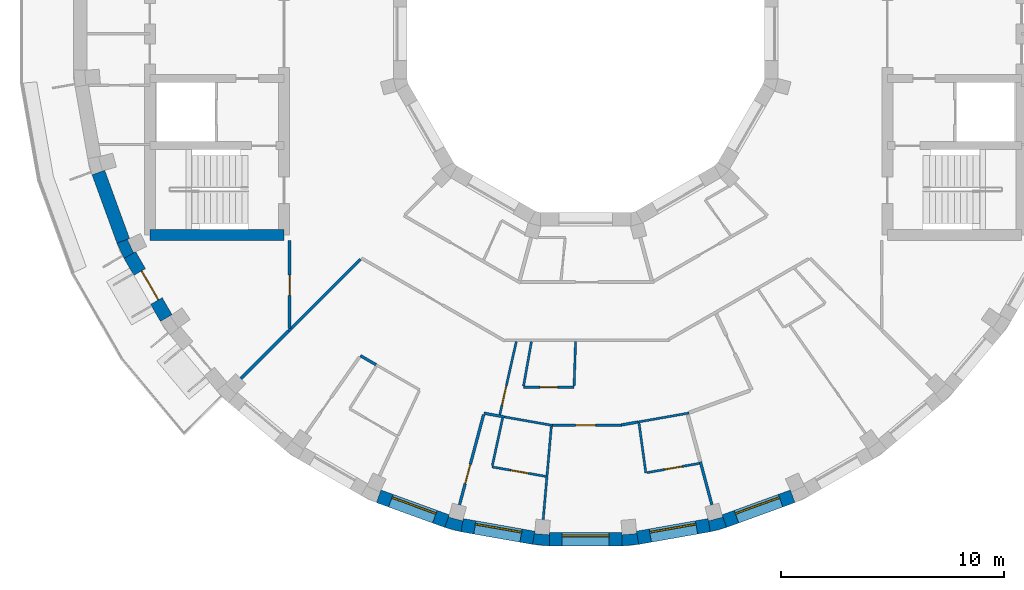
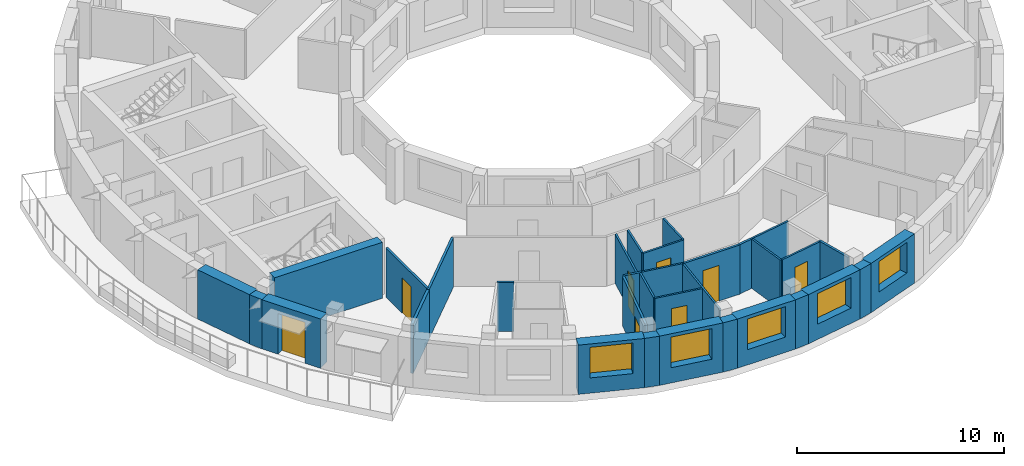
# One storey, part 2 of 10: 33 walls, 8 doors, 5 windows, 13 openings.
"""IFC4 building model written with IfcOpenShell, lengths in metres."""

from ifc_helpers import new_model, si_unit, direction, frame, frame_2d, origin, place, context, subcontext, project, spatial, polyline, rectangle, outline, extrude, material, layer, layer_set, type_object, element, fill, save


model = new_model("IFC4")

# Units and contexts
model_context = context("Model", 3, precision=1e-05, world=origin(), true_north=direction((0.0, 1.0)))
body_context = subcontext(model_context, "Body", "Model", "MODEL_VIEW")
ifc_project = project(units=[si_unit("LENGTHUNIT", "METRE"), si_unit("AREAUNIT", "SQUARE_METRE"), si_unit("VOLUMEUNIT", "CUBIC_METRE"), si_unit("PLANEANGLEUNIT", "RADIAN"), si_unit("MASSUNIT", "GRAM", prefix="KILO")], contexts=[model_context])

# Site, building, storey
site_placement = place(None, origin())
site = spatial("IfcSite", under=ifc_project, at=site_placement, CompositionType="ELEMENT")
building_placement = place(site_placement, origin())
building = spatial("IfcBuilding", under=site, at=building_placement, Name="Saqina Gate Tower", CompositionType="ELEMENT")
storey_placement = place(building_placement, frame((0.0, 0.0, 249.5)))
storey = spatial("IfcBuildingStorey", under=building, at=storey_placement, Name="L71", CompositionType="ELEMENT", Elevation=249.5)

# Walls
ifc_material_1 = material(Name="Brick masonry (buff)", Category="masonry")
wall_type_1 = type_object("IfcWallType", Name="BRICK PIER COPING BUFF", PredefinedType="SOLIDWALL", material=ifc_material_1)
wall_1_placement = place(storey_placement, origin())
element("IfcWall", 1, at=wall_1_placement, inside=storey, type_object=wall_type_1, Name="Pier cap L71 column 21", PredefinedType="SOLIDWALL", context=body_context, shape_type="SweptSolid", body=[
    extrude(outline(polyline([(-20.974609375, -9.3642578125), (-20.65576171875, -10.048095703125), (-20.135986328125, -9.748291015625), (-20.23193359375, -9.79296875), (-20.506591796875, -9.203857421875), (-20.410888671875, -9.1591796875), (-20.974609375, -9.3642578125)])), origin(), (0.0, 0.0, 1.0), 2.89990234375),
])
wall_2_placement = place(storey_placement, origin())
element("IfcWall", 2, at=wall_2_placement, inside=storey, type_object=wall_type_1, Name="Pier cap L71 column 26", PredefinedType="SOLIDWALL", context=body_context, shape_type="SweptSolid", body=[
    extrude(outline(polyline([(-5.579833984375, -22.281982421875), (-5.4755859375, -21.691162109375), (-5.5029296875, -21.793212890625), (-6.130859375, -21.625), (-6.103515625, -21.52294921875), (-6.30859375, -22.0869140625), (-5.579833984375, -22.281982421875)])), origin(), (0.0, 0.0, 1.0), 2.89990234375),
])
wall_3_placement = place(storey_placement, origin())
element("IfcWall", 3, at=wall_3_placement, inside=storey, type_object=wall_type_1, Name="Pier cap L71 column 27", PredefinedType="SOLIDWALL", context=body_context, shape_type="SweptSolid", body=[
    extrude(outline(polyline([(-2.377685546875, -22.8466796875), (-1.625732421875, -22.91259765625), (-1.625732421875, -22.3125), (-1.635009765625, -22.417724609375), (-2.28271484375, -22.361083984375), (-2.2734375, -22.255859375), (-2.377685546875, -22.8466796875)])), origin(), (0.0, 0.0, 1.0), 2.89990234375),
])
wall_4_placement = place(storey_placement, origin())
element("IfcWall", 4, at=wall_4_placement, inside=storey, type_object=wall_type_1, Name="Pier cap L71 column 28", PredefinedType="SOLIDWALL", context=body_context, shape_type="SweptSolid", body=[
    extrude(outline(polyline([(1.625732421875, -22.91259765625), (2.377685546875, -22.8466796875), (2.2734375, -22.255859375), (2.28271484375, -22.361083984375), (1.635009765625, -22.417724609375), (1.625732421875, -22.3125), (1.625732421875, -22.91259765625)])), origin(), (0.0, 0.0, 1.0), 2.89990234375),
])
wall_5_placement = place(storey_placement, origin())
element("IfcWall", 5, at=wall_5_placement, inside=storey, type_object=wall_type_1, Name="Pier cap L71 column 29", PredefinedType="SOLIDWALL", context=body_context, shape_type="SweptSolid", body=[
    extrude(outline(polyline([(6.30859375, -22.0869140625), (6.103515625, -21.52294921875), (6.130859375, -21.625), (5.5029296875, -21.793212890625), (5.4755859375, -21.691162109375), (5.579833984375, -22.281982421875), (6.30859375, -22.0869140625)])), origin(), (0.0, 0.0, 1.0), 2.89990234375),
])

# Wall, opening, door
ifc_material_2 = material(Name="Brick masonry (buff)", Category="masonry")
ifc_layer_1 = layer(ifc_material_2, 0.60009765625)
ifc_layer_set_1 = layer_set([ifc_layer_1], Name="FW-BRICK-BUFF")
wall_type_2 = type_object("IfcWallType", Name="FW-BRICK-BUFF", PredefinedType="SOLIDWALL", material=ifc_layer_set_1)
wall_6_placement = place(storey_placement, frame((-20.39599609375, -9.898193359375, 0.0), z_axis=(0.0, 0.0, 1.0), x_axis=(0.500014901547, -0.866016800201, 0.0)))
wall_6 = element("IfcWall", 6, at=wall_6_placement, inside=storey, type_object=wall_type_2, Name="Facade wall L71 facet 21", PredefinedType="SOLIDWALL", context=body_context, shape_type="SweptSolid", body=[
    extrude(rectangle(XDim=3.251953125, YDim=0.60009765625, at=frame_2d((1.6259765625, 0.0))), origin(), (0.0, 0.0, 1.0), 2.89990234375),
])
opening_1_placement = place(wall_6_placement, frame((0.875732421875, 0.0, 0.0)))
opening_1 = element("IfcOpeningElement", 7, at=opening_1_placement, cuts=wall_6, Name="Opening G21-D80", PredefinedType="OPENING", context=body_context, shape_type="SweptSolid", body=[
    extrude(rectangle(XDim=1.5, YDim=2.39990234375, at=frame_2d((0.75, 1.199951171875))), frame((0.0, 0.31201171875, 0.0), z_axis=(0.0, -1.0, 0.0), x_axis=(1.0, 0.0, 0.0)), (0.0, 0.0, 1.0), 0.6240234375),
])
ifc_material_3 = material(Name="Aluminium glazing", Category="aluminium")
door_type_1 = type_object("IfcDoorType", Name="GD-D", OperationType="DOUBLE_DOOR_SINGLE_SWING", PredefinedType="DOOR", material=ifc_material_3)
door_1_placement = place(opening_1_placement, frame((1.5, 0.0, 0.0), z_axis=(0.0, 0.0, 1.0), x_axis=(-1.0, 0.0, 0.0)))
door_1 = element("IfcDoor", 8, at=door_1_placement, inside=storey, type_object=door_type_1, Name="Terrace door L71 facet 21", OperationType="DOUBLE_DOOR_SINGLE_SWING", OverallHeight=2.39990234375, OverallWidth=1.5, PredefinedType="DOOR", context=body_context, shape_type="SweptSolid", body=[
    extrude(rectangle(XDim=1.5, YDim=2.39990234375, at=frame_2d((0.75, 1.199951171875))), frame((0.0, -0.0751953125, 0.0), z_axis=(0.0, -1.0, 0.0), x_axis=(1.0, 0.0, 0.0)), (0.0, 0.0, 1.0), 0.050048828125),
])
fill(opening_1, door_1)

# Wall, opening, window
wall_7_placement = place(storey_placement, frame((-9.26171875, -20.692626953125, 0.0), z_axis=(0.0, 0.0, 1.0), x_axis=(0.939679383794, -0.342056509473, 0.0)))
wall_7 = element("IfcWall", 9, at=wall_7_placement, inside=storey, type_object=wall_type_2, Name="Facade wall L71 facet 25", PredefinedType="SOLIDWALL", context=body_context, shape_type="SweptSolid", body=[
    extrude(rectangle(XDim=3.251708984375, YDim=0.60009765625, at=frame_2d((1.6259765625, 0.0))), origin(), (0.0, 0.0, 1.0), 2.89990234375),
])
opening_2_placement = place(wall_7_placement, frame((0.57568359375, 0.0, 0.89990234375)))
opening_2 = element("IfcOpeningElement", 10, at=opening_2_placement, cuts=wall_7, Name="Opening G21-W16", PredefinedType="OPENING", context=body_context, shape_type="SweptSolid", body=[
    extrude(rectangle(XDim=2.10009765625, YDim=1.800048828125, at=frame_2d((1.050048828125, 0.89990234375))), frame((0.0, 0.31201171875, 0.0), z_axis=(0.0, -1.0, 0.0), x_axis=(1.0, 0.0, 0.0)), (0.0, 0.0, 1.0), 0.6240234375),
])
ifc_material_4 = material(Name="Aluminium glazing", Category="aluminium")
window_type = type_object("IfcWindowType", Name="WN-D", PartitioningType="SINGLE_PANEL", PredefinedType="WINDOW", material=ifc_material_4)
window_1_placement = place(opening_2_placement, origin())
window_1 = element("IfcWindow", 11, at=window_1_placement, inside=storey, type_object=window_type, Name="Window L71 facet 25", OverallHeight=1.800048828125, OverallWidth=2.10009765625, PartitioningType="SINGLE_PANEL", PredefinedType="WINDOW", context=body_context, shape_type="SweptSolid", body=[
    extrude(rectangle(XDim=2.10009765625, YDim=1.800048828125, at=frame_2d((1.050048828125, 0.89990234375))), frame((0.0, 0.179931640625, 0.0), z_axis=(0.0, -1.0, 0.0), x_axis=(1.0, 0.0, 0.0)), (0.0, 0.0, 1.0), 0.06005859375),
])
fill(opening_2, window_1)

wall_8_placement = place(storey_placement, frame((-5.52783203125, -21.986572265625, 0.0), z_axis=(0.0, 0.0, 1.0), x_axis=(0.984806225186, -0.173656842178, 0.0)))
wall_8 = element("IfcWall", 12, at=wall_8_placement, inside=storey, type_object=wall_type_2, Name="Facade wall L71 facet 26", PredefinedType="SOLIDWALL", context=body_context, shape_type="SweptSolid", body=[
    extrude(rectangle(XDim=3.251708984375, YDim=0.60009765625, at=frame_2d((1.6259765625, 0.0))), origin(), (0.0, 0.0, 1.0), 2.89990234375),
])
opening_3_placement = place(wall_8_placement, frame((0.57568359375, 0.0, 0.89990234375)))
opening_3 = element("IfcOpeningElement", 13, at=opening_3_placement, cuts=wall_8, Name="Opening G21-W17", PredefinedType="OPENING", context=body_context, shape_type="SweptSolid", body=[
    extrude(rectangle(XDim=2.10009765625, YDim=1.800048828125, at=frame_2d((1.050048828125, 0.89990234375))), frame((0.0, 0.31201171875, 0.0), z_axis=(0.0, -1.0, 0.0), x_axis=(1.0, 0.0, 0.0)), (0.0, 0.0, 1.0), 0.6240234375),
])
window_2_placement = place(opening_3_placement, origin())
window_2 = element("IfcWindow", 14, at=window_2_placement, inside=storey, type_object=window_type, Name="Window L71 facet 26", OverallHeight=1.800048828125, OverallWidth=2.10009765625, PartitioningType="SINGLE_PANEL", PredefinedType="WINDOW", context=body_context, shape_type="SweptSolid", body=[
    extrude(rectangle(XDim=2.10009765625, YDim=1.800048828125, at=frame_2d((1.050048828125, 0.89990234375))), frame((0.0, 0.179931640625, 0.0), z_axis=(0.0, -1.0, 0.0), x_axis=(1.0, 0.0, 0.0)), (0.0, 0.0, 1.0), 0.06005859375),
])
fill(opening_3, window_2)

wall_9_placement = place(storey_placement, frame((-1.625732421875, -22.612548828125, 0.0), z_axis=(0.0, 0.0, 1.0), x_axis=(1.0, 0.0, 0.0)))
wall_9 = element("IfcWall", 15, at=wall_9_placement, inside=storey, type_object=wall_type_2, Name="Facade wall L71 facet 27", PredefinedType="SOLIDWALL", context=body_context, shape_type="SweptSolid", body=[
    extrude(rectangle(XDim=3.25146484375, YDim=0.60009765625, at=frame_2d((1.625732421875, 0.0))), origin(), (0.0, 0.0, 1.0), 2.89990234375),
])
opening_4_placement = place(wall_9_placement, frame((0.57568359375, 0.0, 0.89990234375)))
opening_4 = element("IfcOpeningElement", 16, at=opening_4_placement, cuts=wall_9, Name="Opening G21-W18", PredefinedType="OPENING", context=body_context, shape_type="SweptSolid", body=[
    extrude(rectangle(XDim=2.10009765625, YDim=1.800048828125, at=frame_2d((1.050048828125, 0.89990234375))), frame((0.0, 0.31201171875, 0.0), z_axis=(0.0, -1.0, 0.0), x_axis=(1.0, 0.0, 0.0)), (0.0, 0.0, 1.0), 0.6240234375),
])
window_3_placement = place(opening_4_placement, origin())
window_3 = element("IfcWindow", 17, at=window_3_placement, inside=storey, type_object=window_type, Name="Window L71 facet 27", OverallHeight=1.800048828125, OverallWidth=2.10009765625, PartitioningType="SINGLE_PANEL", PredefinedType="WINDOW", context=body_context, shape_type="SweptSolid", body=[
    extrude(rectangle(XDim=2.10009765625, YDim=1.800048828125, at=frame_2d((1.050048828125, 0.89990234375))), frame((0.0, 0.179931640625, 0.0), z_axis=(0.0, -1.0, 0.0), x_axis=(1.0, 0.0, 0.0)), (0.0, 0.0, 1.0), 0.06005859375),
])
fill(opening_4, window_3)

wall_10_placement = place(storey_placement, frame((2.325439453125, -22.55126953125, 0.0), z_axis=(0.0, 0.0, 1.0), x_axis=(0.984806225186, 0.173656842178, 0.0)))
wall_10 = element("IfcWall", 18, at=wall_10_placement, inside=storey, type_object=wall_type_2, Name="Facade wall L71 facet 28", PredefinedType="SOLIDWALL", context=body_context, shape_type="SweptSolid", body=[
    extrude(rectangle(XDim=3.251708984375, YDim=0.60009765625, at=frame_2d((1.6259765625, 0.0))), origin(), (0.0, 0.0, 1.0), 2.89990234375),
])
opening_5_placement = place(wall_10_placement, frame((0.57568359375, 0.0, 0.89990234375)))
opening_5 = element("IfcOpeningElement", 19, at=opening_5_placement, cuts=wall_10, Name="Opening G21-W19", PredefinedType="OPENING", context=body_context, shape_type="SweptSolid", body=[
    extrude(rectangle(XDim=2.10009765625, YDim=1.800048828125, at=frame_2d((1.050048828125, 0.89990234375))), frame((0.0, 0.31201171875, 0.0), z_axis=(0.0, -1.0, 0.0), x_axis=(1.0, 0.0, 0.0)), (0.0, 0.0, 1.0), 0.6240234375),
])
window_4_placement = place(opening_5_placement, origin())
window_4 = element("IfcWindow", 20, at=window_4_placement, inside=storey, type_object=window_type, Name="Window L71 facet 28", OverallHeight=1.800048828125, OverallWidth=2.10009765625, PartitioningType="SINGLE_PANEL", PredefinedType="WINDOW", context=body_context, shape_type="SweptSolid", body=[
    extrude(rectangle(XDim=2.10009765625, YDim=1.800048828125, at=frame_2d((1.050048828125, 0.89990234375))), frame((0.0, 0.179931640625, 0.0), z_axis=(0.0, -1.0, 0.0), x_axis=(1.0, 0.0, 0.0)), (0.0, 0.0, 1.0), 0.06005859375),
])
fill(opening_5, window_4)

wall_11_placement = place(storey_placement, frame((6.2060546875, -21.804931640625, 0.0), z_axis=(0.0, 0.0, 1.0), x_axis=(0.939679383794, 0.342056509473, 0.0)))
wall_11 = element("IfcWall", 21, at=wall_11_placement, inside=storey, type_object=wall_type_2, Name="Facade wall L71 facet 29", PredefinedType="SOLIDWALL", context=body_context, shape_type="SweptSolid", body=[
    extrude(rectangle(XDim=3.251708984375, YDim=0.60009765625, at=frame_2d((1.6259765625, 0.0))), origin(), (0.0, 0.0, 1.0), 2.89990234375),
])
opening_6_placement = place(wall_11_placement, frame((0.57568359375, 0.0, 0.89990234375)))
opening_6 = element("IfcOpeningElement", 22, at=opening_6_placement, cuts=wall_11, Name="Opening G21-W20", PredefinedType="OPENING", context=body_context, shape_type="SweptSolid", body=[
    extrude(rectangle(XDim=2.10009765625, YDim=1.800048828125, at=frame_2d((1.050048828125, 0.89990234375))), frame((0.0, 0.31201171875, 0.0), z_axis=(0.0, -1.0, 0.0), x_axis=(1.0, 0.0, 0.0)), (0.0, 0.0, 1.0), 0.6240234375),
])
window_5_placement = place(opening_6_placement, origin())
window_5 = element("IfcWindow", 23, at=window_5_placement, inside=storey, type_object=window_type, Name="Window L71 facet 29", OverallHeight=1.800048828125, OverallWidth=2.10009765625, PartitioningType="SINGLE_PANEL", PredefinedType="WINDOW", context=body_context, shape_type="SweptSolid", body=[
    extrude(rectangle(XDim=2.10009765625, YDim=1.800048828125, at=frame_2d((1.050048828125, 0.89990234375))), frame((0.0, 0.179931640625, 0.0), z_axis=(0.0, -1.0, 0.0), x_axis=(1.0, 0.0, 0.0)), (0.0, 0.0, 1.0), 0.06005859375),
])
fill(opening_6, window_5)

# Walls
ifc_material_5 = material(Name="Glazed ceramic tile", Category="ceramic")
ifc_layer_2 = layer(ifc_material_5, 0.60009765625)
ifc_layer_set_2 = layer_set([ifc_layer_2], Name="FW-TILE")
wall_type_3 = type_object("IfcWallType", Name="FW-TILE", PredefinedType="SOLIDWALL", material=ifc_layer_set_2)
wall_12_placement = place(storey_placement, frame((-21.804931640625, -6.2060546875, 0.0), z_axis=(0.0, 0.0, 1.0), x_axis=(0.342056509473, -0.939679383794, 0.0)))
element("IfcWall", 24, at=wall_12_placement, inside=storey, type_object=wall_type_3, Name="Facade wall L71 facet 20", PredefinedType="SOLIDWALL", context=body_context, shape_type="SweptSolid", body=[
    extrude(rectangle(XDim=3.251708984375, YDim=0.60009765625, at=frame_2d((1.6259765625, 0.0))), origin(), (0.0, 0.0, 1.0), 2.89990234375),
])
ifc_material_6 = material(Name="Gypsum board on steel studs, 100 mm", Category="steel")
ifc_layer_3 = layer(ifc_material_6, 0.10009765625)
ifc_layer_set_3 = layer_set([ifc_layer_3], Name="PARTITION 100")
wall_type_4 = type_object("IfcWallType", Name="PARTITION 100", PredefinedType="PARTITIONING", material=ifc_layer_set_3)
wall_13_placement = place(storey_placement, frame((2.387451171875, -17.425048828125, 0.0), z_axis=(0.0, 0.0, 1.0), x_axis=(0.136139445073, -0.990689684763, 0.0)))
element("IfcWall", 25, at=wall_13_placement, inside=storey, type_object=wall_type_4, Name="PARTITION PW3-02", PredefinedType="PARTITIONING", context=body_context, shape_type="SweptSolid", body=[
    extrude(rectangle(XDim=2.23974609375, YDim=0.10009765625, at=frame_2d((1.119873046875, 0.0))), origin(), (0.0, 0.0, 1.0), 2.89990234375),
])

# Wall, opening, door
wall_14_placement = place(storey_placement, frame((-4.18896484375, -19.37890625, 0.0), z_axis=(0.0, 0.0, 1.0), x_axis=(0.98481170555, -0.17362576022, 0.0)))
wall_14 = element("IfcWall", 26, at=wall_14_placement, inside=storey, type_object=wall_type_4, Name="PARTITION PW3-20", PredefinedType="PARTITIONING", context=body_context, shape_type="SweptSolid", body=[
    extrude(rectangle(XDim=2.44384765625, YDim=0.10009765625, at=frame_2d((1.221923828125, 0.0))), origin(), (0.0, 0.0, 1.0), 2.89990234375),
])
opening_7_placement = place(wall_14_placement, frame((0.846923828125, 0.0, 0.0)))
opening_7 = element("IfcOpeningElement", 27, at=opening_7_placement, cuts=wall_14, Name="Opening G21-D31", PredefinedType="OPENING", context=body_context, shape_type="SweptSolid", body=[
    extrude(rectangle(XDim=0.800048828125, YDim=2.10009765625, at=frame_2d((0.39990234375, 1.050048828125))), frame((0.0, 0.06201171875, 0.0), z_axis=(0.0, -1.0, 0.0), x_axis=(1.0, 0.0, 0.0)), (0.0, 0.0, 1.0), 0.1240234375),
])
ifc_material_7 = material(Name="Timber door leaf, 800 mm", Category="wood")
door_type_2 = type_object("IfcDoorType", Name="DOOR 800 TIMBER", OperationType="SINGLE_SWING_LEFT", PredefinedType="DOOR", material=ifc_material_7)
door_2_placement = place(opening_7_placement, frame((0.800048828125, 0.0, 0.0), z_axis=(0.0, 0.0, 1.0), x_axis=(-1.0, 0.0, 0.0)))
door_2 = element("IfcDoor", 28, at=door_2_placement, inside=storey, type_object=door_type_2, Name="DOOR G21-D31", OperationType="SINGLE_SWING_LEFT", OverallHeight=2.10009765625, OverallWidth=0.800048828125, PredefinedType="DOOR", context=body_context, shape_type="SweptSolid", body=[
    extrude(rectangle(XDim=0.800048828125, YDim=2.10009765625, at=frame_2d((0.39990234375, 1.050048828125))), frame((0.0, 0.02490234375, 0.0), z_axis=(0.0, -1.0, 0.0), x_axis=(1.0, 0.0, 0.0)), (0.0, 0.0, 1.0), 0.050048828125),
])
fill(opening_7, door_2)

# Wall
wall_15_placement = place(storey_placement, frame((-3.641357421875, -17.140869140625, 0.0), z_axis=(0.0, 0.0, 1.0), x_axis=(0.984870828908, -0.173290075784, 0.0)))
element("IfcWall", 29, at=wall_15_placement, inside=storey, type_object=wall_type_4, Name="PARTITION PW3-21", PredefinedType="PARTITIONING", context=body_context, shape_type="SweptSolid", body=[
    extrude(rectangle(XDim=2.193603515625, YDim=0.10009765625, at=frame_2d((1.0966796875, 0.0))), origin(), (0.0, 0.0, 1.0), 2.89990234375),
])

# Wall, opening, door
wall_16_placement = place(storey_placement, frame((-2.7880859375, -15.81005859375, 0.0), z_axis=(0.0, 0.0, 1.0), x_axis=(1.0, 0.0, 0.0)))
wall_16 = element("IfcWall", 30, at=wall_16_placement, inside=storey, type_object=wall_type_4, Name="PARTITION PW3-24", PredefinedType="PARTITIONING", context=body_context, shape_type="SweptSolid", body=[
    extrude(rectangle(XDim=2.26904296875, YDim=0.10009765625, at=frame_2d((1.134521484375, 0.0))), origin(), (0.0, 0.0, 1.0), 2.89990234375),
])
opening_8_placement = place(wall_16_placement, frame((0.734619140625, 0.0, 0.0)))
opening_8 = element("IfcOpeningElement", 31, at=opening_8_placement, cuts=wall_16, Name="Opening G21-D32", PredefinedType="OPENING", context=body_context, shape_type="SweptSolid", body=[
    extrude(rectangle(XDim=0.800048828125, YDim=2.10009765625, at=frame_2d((0.39990234375, 1.050048828125))), frame((0.0, 0.06201171875, 0.0), z_axis=(0.0, -1.0, 0.0), x_axis=(1.0, 0.0, 0.0)), (0.0, 0.0, 1.0), 0.1240234375),
])
door_3_placement = place(opening_8_placement, frame((0.800048828125, 0.0, 0.0), z_axis=(0.0, 0.0, 1.0), x_axis=(-1.0, 0.0, 0.0)))
door_3 = element("IfcDoor", 32, at=door_3_placement, inside=storey, type_object=door_type_2, Name="DOOR G21-D32", OperationType="SINGLE_SWING_LEFT", OverallHeight=2.10009765625, OverallWidth=0.800048828125, PredefinedType="DOOR", context=body_context, shape_type="SweptSolid", body=[
    extrude(rectangle(XDim=0.800048828125, YDim=2.10009765625, at=frame_2d((0.39990234375, 1.050048828125))), frame((0.0, 0.02490234375, 0.0), z_axis=(0.0, -1.0, 0.0), x_axis=(1.0, 0.0, 0.0)), (0.0, 0.0, 1.0), 0.050048828125),
])
fill(opening_8, door_3)

wall_17_placement = place(storey_placement, frame((2.7421875, -19.635009765625, 0.0), z_axis=(0.0, 0.0, 1.0), x_axis=(0.984744284457, 0.174007741867, 0.0)))
wall_17 = element("IfcWall", 33, at=wall_17_placement, inside=storey, type_object=wall_type_4, Name="PARTITION PW3-28", PredefinedType="PARTITIONING", context=body_context, shape_type="SweptSolid", body=[
    extrude(rectangle(XDim=2.379638671875, YDim=0.10009765625, at=frame_2d((1.18994140625, 0.0))), origin(), (0.0, 0.0, 1.0), 2.89990234375),
])
opening_9_placement = place(wall_17_placement, frame((0.79638671875, 0.0, 0.0)))
opening_9 = element("IfcOpeningElement", 34, at=opening_9_placement, cuts=wall_17, Name="Opening G21-D36", PredefinedType="OPENING", context=body_context, shape_type="SweptSolid", body=[
    extrude(rectangle(XDim=0.800048828125, YDim=2.10009765625, at=frame_2d((0.39990234375, 1.050048828125))), frame((0.0, 0.06201171875, 0.0), z_axis=(0.0, -1.0, 0.0), x_axis=(1.0, 0.0, 0.0)), (0.0, 0.0, 1.0), 0.1240234375),
])
door_4_placement = place(opening_9_placement, frame((0.800048828125, 0.0, 0.0), z_axis=(0.0, 0.0, 1.0), x_axis=(-1.0, 0.0, 0.0)))
door_4 = element("IfcDoor", 35, at=door_4_placement, inside=storey, type_object=door_type_2, Name="DOOR G21-D36", OperationType="SINGLE_SWING_LEFT", OverallHeight=2.10009765625, OverallWidth=0.800048828125, PredefinedType="DOOR", context=body_context, shape_type="SweptSolid", body=[
    extrude(rectangle(XDim=0.800048828125, YDim=2.10009765625, at=frame_2d((0.39990234375, 1.050048828125))), frame((0.0, 0.02490234375, 0.0), z_axis=(0.0, -1.0, 0.0), x_axis=(1.0, 0.0, 0.0)), (0.0, 0.0, 1.0), 0.050048828125),
])
fill(opening_9, door_4)

# Wall
wall_18_placement = place(storey_placement, frame((2.329833984375, -17.37158203125, 0.0), z_axis=(0.0, 0.0, 1.0), x_axis=(0.984801481442, 0.173683741754, 0.0)))
element("IfcWall", 36, at=wall_18_placement, inside=storey, type_object=wall_type_4, Name="PARTITION PW3-29", PredefinedType="PARTITIONING", context=body_context, shape_type="SweptSolid", body=[
    extrude(rectangle(XDim=2.33056640625, YDim=0.10009765625, at=frame_2d((1.165283203125, 0.0))), origin(), (0.0, 0.0, 1.0), 2.89990234375),
])

# Wall, opening, door
wall_19_placement = place(storey_placement, frame((-3.84228515625, -17.0419921875, 0.0), z_axis=(0.0, 0.0, 1.0), x_axis=(0.219959167762, 0.975509079669, 0.0)))
wall_19 = element("IfcWall", 37, at=wall_19_placement, inside=storey, type_object=wall_type_4, Name="PARTITION PW3-44", PredefinedType="PARTITIONING", context=body_context, shape_type="SweptSolid", body=[
    extrude(rectangle(XDim=3.35302734375, YDim=0.10009765625, at=frame_2d((1.676513671875, 0.0))), origin(), (0.0, 0.0, 1.0), 2.89990234375),
])
opening_10_placement = place(wall_19_placement, frame((0.427001953125, 0.0, 0.0)))
opening_10 = element("IfcOpeningElement", 38, at=opening_10_placement, cuts=wall_19, Name="Opening G21-D30", PredefinedType="OPENING", context=body_context, shape_type="SweptSolid", body=[
    extrude(rectangle(XDim=0.89990234375, YDim=2.10009765625, at=frame_2d((0.449951171875, 1.050048828125))), frame((0.0, 0.06201171875, 0.0), z_axis=(0.0, -1.0, 0.0), x_axis=(1.0, 0.0, 0.0)), (0.0, 0.0, 1.0), 0.1240234375),
])
ifc_material_8 = material(Name="Timber door leaf, 900 mm", Category="wood")
door_type_3 = type_object("IfcDoorType", Name="DOOR 900 TIMBER", OperationType="SINGLE_SWING_LEFT", PredefinedType="DOOR", material=ifc_material_8)
door_5_placement = place(opening_10_placement, origin())
door_5 = element("IfcDoor", 39, at=door_5_placement, inside=storey, type_object=door_type_3, Name="DOOR G21-D30", OperationType="SINGLE_SWING_LEFT", OverallHeight=2.10009765625, OverallWidth=0.89990234375, PredefinedType="DOOR", context=body_context, shape_type="SweptSolid", body=[
    extrude(rectangle(XDim=0.89990234375, YDim=2.10009765625, at=frame_2d((0.449951171875, 1.050048828125))), frame((0.0, 0.02490234375, 0.0), z_axis=(0.0, -1.0, 0.0), x_axis=(1.0, 0.0, 0.0)), (0.0, 0.0, 1.0), 0.050048828125),
])
fill(opening_10, door_5)

# Walls
wall_20_placement = place(storey_placement, frame((-4.178466796875, -19.330078125, 0.0), z_axis=(0.0, 0.0, 1.0), x_axis=(0.211197399018, 0.977443429897, 0.0)))
element("IfcWall", 40, at=wall_20_placement, inside=storey, type_object=wall_type_4, Name="PARTITION PW3-45", PredefinedType="PARTITIONING", context=body_context, shape_type="SweptSolid", body=[
    extrude(rectangle(XDim=2.188232421875, YDim=0.10009765625, at=frame_2d((1.09423828125, 0.0))), origin(), (0.0, 0.0, 1.0), 2.89990234375),
])
wall_21_placement = place(storey_placement, frame((-2.779296875, -15.7607421875, 0.0), z_axis=(0.0, 0.0, 1.0), x_axis=(0.173916330722, 0.984760432749, 0.0)))
element("IfcWall", 41, at=wall_21_placement, inside=storey, type_object=wall_type_4, Name="PARTITION PW3-47", PredefinedType="PARTITIONING", context=body_context, shape_type="SweptSolid", body=[
    extrude(rectangle(XDim=2.02001953125, YDim=0.10009765625, at=frame_2d((1.010009765625, 0.0))), origin(), (0.0, 0.0, 1.0), 2.89990234375),
])
wall_22_placement = place(storey_placement, frame((-1.90087890625, -21.73193359375, 0.0), z_axis=(0.0, 0.0, 1.0), x_axis=(0.087101641285, 0.996199429876, 0.0)))
element("IfcWall", 42, at=wall_22_placement, inside=storey, type_object=wall_type_4, Name="PARTITION PW3-49", PredefinedType="PARTITIONING", context=body_context, shape_type="SweptSolid", body=[
    extrude(rectangle(XDim=4.173583984375, YDim=0.10009765625, at=frame_2d((2.0869140625, 0.0))), origin(), (0.0, 0.0, 1.0), 2.89990234375),
])
wall_23_placement = place(storey_placement, frame((-0.517333984375, -15.760009765625, 0.0), z_axis=(0.0, 0.0, 1.0), x_axis=(0.032779329048, 0.999462613401, 0.0)))
element("IfcWall", 43, at=wall_23_placement, inside=storey, type_object=wall_type_4, Name="PARTITION PW3-51", PredefinedType="PARTITIONING", context=body_context, shape_type="SweptSolid", body=[
    extrude(rectangle(XDim=1.988525390625, YDim=0.10009765625, at=frame_2d((0.994140625, 0.0))), origin(), (0.0, 0.0, 1.0), 2.89990234375),
])
ifc_material_9 = material(Name="Gypsum board on steel studs, 125 mm, fire rated", Category="steel")
ifc_layer_4 = layer(ifc_material_9, 0.125)
ifc_layer_set_4 = layer_set([ifc_layer_4], Name="PARTITION EI 30 125")
wall_type_5 = type_object("IfcWallType", Name="PARTITION EI 30 125", PredefinedType="PARTITIONING", material=ifc_layer_set_4)
wall_24_placement = place(storey_placement, frame((5.131591796875, -19.1494140625, 0.0), z_axis=(0.0, 0.0, 1.0), x_axis=(0.259128566087, -0.965842837235, 0.0)))
element("IfcWall", 44, at=wall_24_placement, inside=storey, type_object=wall_type_5, Name="PARTITION PW1-02", PredefinedType="PARTITIONING", context=body_context, shape_type="SweptSolid", body=[
    extrude(rectangle(XDim=1.98974609375, YDim=0.125, at=frame_2d((0.994873046875, 0.0))), origin(), (0.0, 0.0, 1.0), 2.89990234375),
])
wall_25_placement = place(storey_placement, frame((-10.081298828125, -14.40087890625, 0.0), z_axis=(0.0, 0.0, 1.0), x_axis=(0.866059832176, -0.499940363534, 0.0)))
element("IfcWall", 45, at=wall_25_placement, inside=storey, type_object=wall_type_5, Name="PARTITION PW1-08", PredefinedType="PARTITIONING", context=body_context, shape_type="SweptSolid", body=[
    extrude(rectangle(XDim=0.80810546875, YDim=0.125, at=frame_2d((0.404052734375, 0.0))), origin(), (0.0, 0.0, 1.0), 2.89990234375),
])
wall_26_placement = place(storey_placement, frame((-4.54833984375, -16.976318359375, 0.0), z_axis=(0.0, 0.0, 1.0), x_axis=(0.983882623383, -0.178815501019, 0.0)))
element("IfcWall", 46, at=wall_26_placement, inside=storey, type_object=wall_type_5, Name="PARTITION PW1-14", PredefinedType="PARTITIONING", context=body_context, shape_type="SweptSolid", body=[
    extrude(rectangle(XDim=0.921630859375, YDim=0.125, at=frame_2d((0.4609375, 0.0))), origin(), (0.0, 0.0, 1.0), 2.89990234375),
])

# Wall, opening, door
wall_27_placement = place(storey_placement, frame((-1.48095703125, -17.511962890625, 0.0), z_axis=(0.0, 0.0, 1.0), x_axis=(1.0, 0.0, 0.0)))
wall_27 = element("IfcWall", 47, at=wall_27_placement, inside=storey, type_object=wall_type_5, Name="PARTITION PW1-16", PredefinedType="PARTITIONING", context=body_context, shape_type="SweptSolid", body=[
    extrude(rectangle(XDim=3.076416015625, YDim=0.125, at=frame_2d((1.5380859375, 0.0))), origin(), (0.0, 0.0, 1.0), 2.89990234375),
])
opening_11_placement = place(wall_27_placement, frame((1.031494140625, 0.0, 0.0)))
opening_11 = element("IfcOpeningElement", 48, at=opening_11_placement, cuts=wall_27, Name="Opening G21-D34", PredefinedType="OPENING", context=body_context, shape_type="SweptSolid", body=[
    extrude(rectangle(XDim=0.89990234375, YDim=2.10009765625, at=frame_2d((0.449951171875, 1.050048828125))), frame((0.0, 0.074462890625, 0.0), z_axis=(0.0, -1.0, 0.0), x_axis=(1.0, 0.0, 0.0)), (0.0, 0.0, 1.0), 0.14892578125),
])
ifc_material_10 = material(Name="Fire door leaf EI 30, 900 mm")
door_type_4 = type_object("IfcDoorType", Name="DOOR 900 EI 30", OperationType="SINGLE_SWING_LEFT", PredefinedType="DOOR", material=ifc_material_10)
door_6_placement = place(opening_11_placement, origin())
door_6 = element("IfcDoor", 49, at=door_6_placement, inside=storey, type_object=door_type_4, Name="DOOR G21-D34", OperationType="SINGLE_SWING_LEFT", OverallHeight=2.10009765625, OverallWidth=0.89990234375, PredefinedType="DOOR", context=body_context, shape_type="SweptSolid", body=[
    extrude(rectangle(XDim=0.89990234375, YDim=2.10009765625, at=frame_2d((0.449951171875, 1.050048828125))), frame((0.0, 0.02490234375, 0.0), z_axis=(0.0, -1.0, 0.0), x_axis=(1.0, 0.0, 0.0)), (0.0, 0.0, 1.0), 0.050048828125),
])
fill(opening_11, door_6)

# Walls
wall_28_placement = place(storey_placement, frame((1.593505859375, -17.501220703125, 0.0), z_axis=(0.0, 0.0, 1.0), x_axis=(0.984852515296, 0.173394126532, 0.0)))
element("IfcWall", 50, at=wall_28_placement, inside=storey, type_object=wall_type_5, Name="PARTITION PW1-21", PredefinedType="PARTITIONING", context=body_context, shape_type="SweptSolid", body=[
    extrude(rectangle(XDim=0.74755859375, YDim=0.125, at=frame_2d((0.373779296875, 0.0))), origin(), (0.0, 0.0, 1.0), 2.89990234375),
])
wall_29_placement = place(storey_placement, frame((-13.294189453125, -13.294189453125, 0.0), z_axis=(0.0, 0.0, 1.0), x_axis=(0.707106781187, 0.707106781187, 0.0)))
element("IfcWall", 51, at=wall_29_placement, inside=storey, type_object=wall_type_5, Name="PARTITION PW1-27", PredefinedType="PARTITIONING", context=body_context, shape_type="SweptSolid", body=[
    extrude(rectangle(XDim=4.54541015625, YDim=0.125, at=frame_2d((2.272705078125, 0.0))), origin(), (0.0, 0.0, 1.0), 2.89990234375),
])

# Wall, opening, door
wall_30_placement = place(storey_placement, frame((-5.64453125, -21.072021484375, 0.0), z_axis=(0.0, 0.0, 1.0), x_axis=(0.258154150775, 0.966103738963, 0.0)))
wall_30 = element("IfcWall", 52, at=wall_30_placement, inside=storey, type_object=wall_type_5, Name="PARTITION PW1-35", PredefinedType="PARTITIONING", context=body_context, shape_type="SweptSolid", body=[
    extrude(rectangle(XDim=4.17333984375, YDim=0.125, at=frame_2d((2.086669921875, 0.0))), origin(), (0.0, 0.0, 1.0), 2.89990234375),
])
opening_12_placement = place(wall_30_placement, frame((0.976806640625, 0.0, 0.0)))
opening_12 = element("IfcOpeningElement", 53, at=opening_12_placement, cuts=wall_30, Name="Opening G21-D29", PredefinedType="OPENING", context=body_context, shape_type="SweptSolid", body=[
    extrude(rectangle(XDim=0.89990234375, YDim=2.10009765625, at=frame_2d((0.449951171875, 1.050048828125))), frame((0.0, 0.074462890625, 0.0), z_axis=(0.0, -1.0, 0.0), x_axis=(1.0, 0.0, 0.0)), (0.0, 0.0, 1.0), 0.14892578125),
])
door_7_placement = place(opening_12_placement, origin())
door_7 = element("IfcDoor", 54, at=door_7_placement, inside=storey, type_object=door_type_4, Name="DOOR G21-D29", OperationType="SINGLE_SWING_LEFT", OverallHeight=2.10009765625, OverallWidth=0.89990234375, PredefinedType="DOOR", context=body_context, shape_type="SweptSolid", body=[
    extrude(rectangle(XDim=0.89990234375, YDim=2.10009765625, at=frame_2d((0.449951171875, 1.050048828125))), frame((0.0, 0.02490234375, 0.0), z_axis=(0.0, -1.0, 0.0), x_axis=(1.0, 0.0, 0.0)), (0.0, 0.0, 1.0), 0.050048828125),
])
fill(opening_12, door_7)

wall_31_placement = place(storey_placement, frame((-13.25, -13.175048828125, 0.0), z_axis=(0.0, 0.0, 1.0), x_axis=(0.0, 1.0, 0.0)))
wall_31 = element("IfcWall", 55, at=wall_31_placement, inside=storey, type_object=wall_type_5, Name="PARTITION PW1-40", PredefinedType="PARTITIONING", context=body_context, shape_type="SweptSolid", body=[
    extrude(rectangle(XDim=3.925048828125, YDim=0.125, at=frame_2d((1.96240234375, 0.0))), origin(), (0.0, 0.0, 1.0), 2.89990234375),
])
opening_13_placement = place(wall_31_placement, frame((1.47509765625, 0.0, 0.0)))
opening_13 = element("IfcOpeningElement", 56, at=opening_13_placement, cuts=wall_31, Name="Opening G21-D23", PredefinedType="OPENING", context=body_context, shape_type="SweptSolid", body=[
    extrude(rectangle(XDim=0.89990234375, YDim=2.10009765625, at=frame_2d((0.449951171875, 1.050048828125))), frame((0.0, 0.074462890625, 0.0), z_axis=(0.0, -1.0, 0.0), x_axis=(1.0, 0.0, 0.0)), (0.0, 0.0, 1.0), 0.14892578125),
])
door_8_placement = place(opening_13_placement, origin())
door_8 = element("IfcDoor", 57, at=door_8_placement, inside=storey, type_object=door_type_4, Name="DOOR G21-D23", OperationType="SINGLE_SWING_LEFT", OverallHeight=2.10009765625, OverallWidth=0.89990234375, PredefinedType="DOOR", context=body_context, shape_type="SweptSolid", body=[
    extrude(rectangle(XDim=0.89990234375, YDim=2.10009765625, at=frame_2d((0.449951171875, 1.050048828125))), frame((0.0, 0.02490234375, 0.0), z_axis=(0.0, -1.0, 0.0), x_axis=(1.0, 0.0, 0.0)), (0.0, 0.0, 1.0), 0.050048828125),
])
fill(opening_13, door_8)

# Walls
ifc_material_11 = material(Name="Gypsum board on steel studs, 150 mm, fire rated", Category="steel")
ifc_layer_5 = layer(ifc_material_11, 0.14990234375)
ifc_layer_set_5 = layer_set([ifc_layer_5], Name="PARTITION EI 60 150")
wall_type_6 = type_object("IfcWallType", Name="PARTITION EI 60 150", PredefinedType="PARTITIONING", material=ifc_layer_set_5)
wall_32_placement = place(storey_placement, frame((-15.425537109375, -15.425537109375, 0.0), z_axis=(0.0, 0.0, 1.0), x_axis=(0.707106781187, 0.707106781187, 0.0)))
element("IfcWall", 58, at=wall_32_placement, inside=storey, type_object=wall_type_6, Name="PARTITION PW2-08", PredefinedType="PARTITIONING", context=body_context, shape_type="SweptSolid", body=[
    extrude(rectangle(XDim=3.01416015625, YDim=0.14990234375, at=frame_2d((1.507080078125, 0.0))), origin(), (0.0, 0.0, 1.0), 2.89990234375),
])
ifc_material_12 = material(Name="Concrete C60/75", Category="concrete")
ifc_layer_6 = layer(ifc_material_12, 0.5)
ifc_layer_set_6 = layer_set([ifc_layer_6], Name="Concrete C60/75")
wall_type_7 = type_object("IfcWallType", Name="STR-CORE WALL-D-O", PredefinedType="SHEAR", material=ifc_layer_set_6)
wall_33_placement = place(storey_placement, frame((-13.5, -9.0, 0.0), z_axis=(0.0, 0.0, 1.0), x_axis=(-1.0, 0.0, 0.0)))
element("IfcWall", 59, at=wall_33_placement, inside=storey, type_object=wall_type_7, Name="CORE WALL L71 W-SE", PredefinedType="SHEAR", context=body_context, shape_type="SweptSolid", body=[
    extrude(rectangle(XDim=6.0, YDim=0.5, at=frame_2d((3.0, 0.0))), origin(), (0.0, 0.0, 1.0), 3.300048828125),
])

save(model, "model.ifc")
